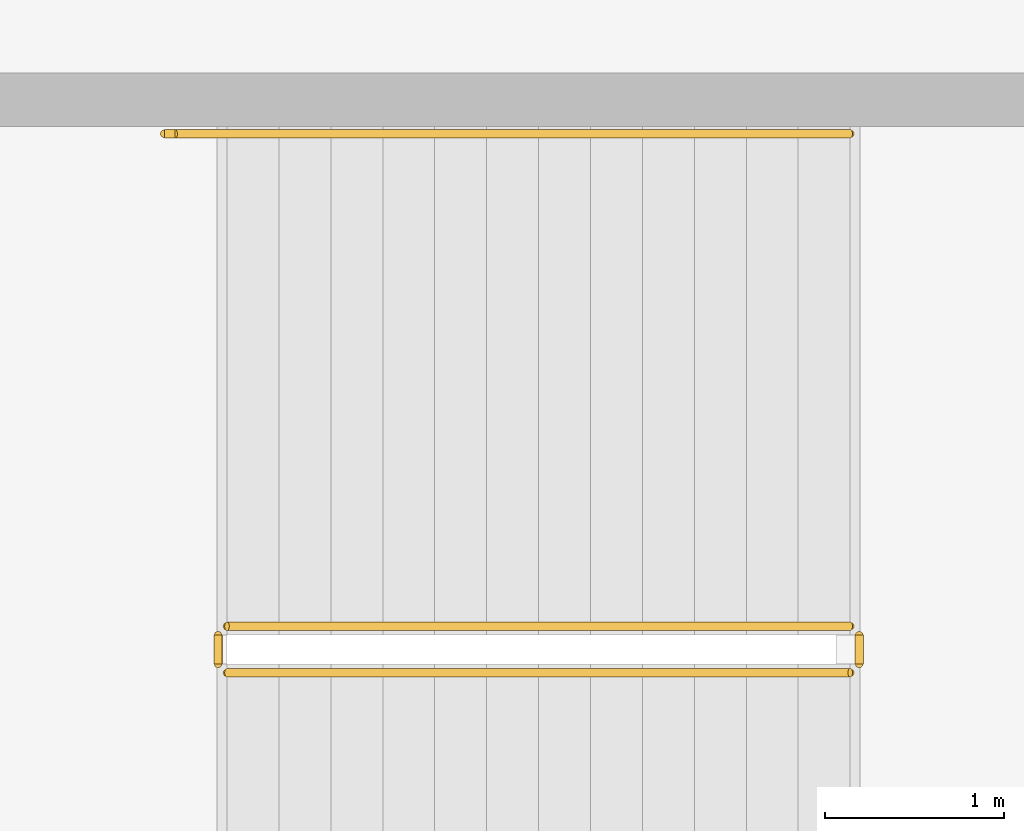
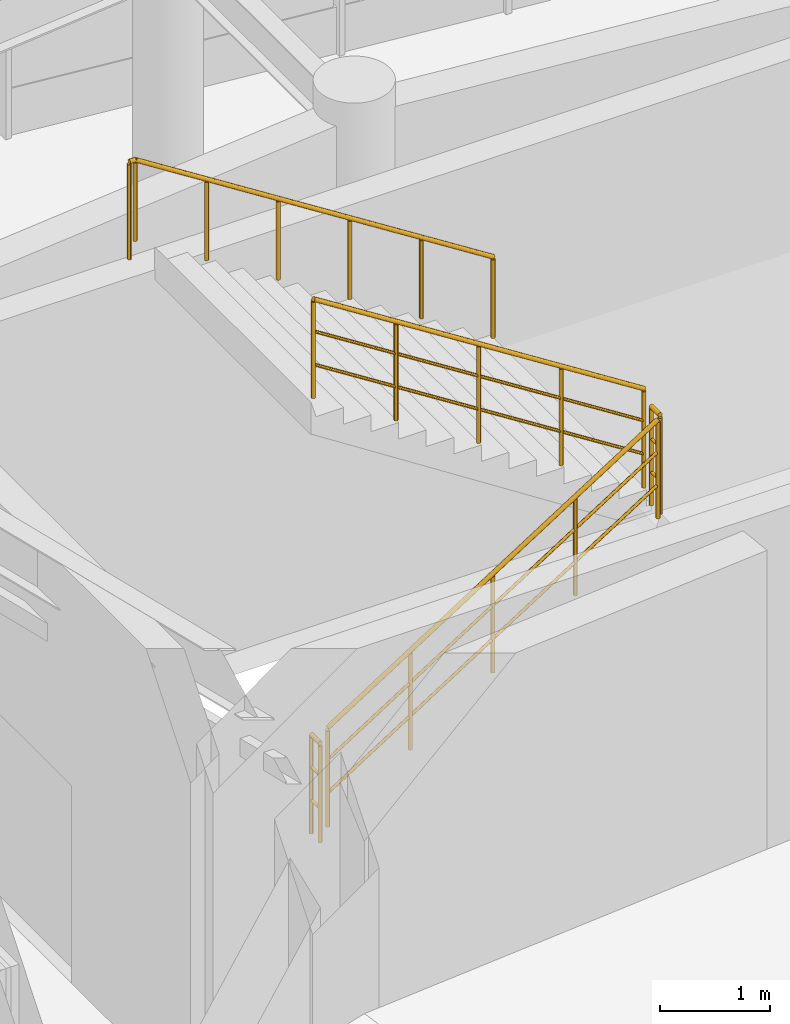
# One storey, part 136 of 144: 5 railings.
"""IFC4 building model written with IfcOpenShell, lengths in metres."""

from ifc_helpers import new_model, si_unit, direction, frame, origin, origin_2d, place, context, subcontext, project, spatial, circle, extrude, material, type_object, element, save


model = new_model("IFC4")

# Units and contexts
model_context = context("Model", 3, precision=1e-05, world=origin(), true_north=direction((0.0, 1.0)))
body_context = subcontext(model_context, "Body", "Model", "MODEL_VIEW")
ifc_project = project(units=[si_unit("LENGTHUNIT", "METRE"), si_unit("AREAUNIT", "SQUARE_METRE"), si_unit("VOLUMEUNIT", "CUBIC_METRE"), si_unit("PLANEANGLEUNIT", "RADIAN"), si_unit("MASSUNIT", "GRAM", prefix="KILO")], contexts=[model_context])

# Site, building, storey
site_placement = place(None, origin())
site = spatial("IfcSite", under=ifc_project, at=site_placement, CompositionType="ELEMENT")
building_placement = place(site_placement, origin())
building = spatial("IfcBuilding", under=site, at=building_placement, Name="Cinderbank Siding Concert Hall", CompositionType="ELEMENT")
storey_placement = place(building_placement, frame((0.0, 0.0, 5.39990234375)))
storey = spatial("IfcBuildingStorey", under=building, at=storey_placement, Name="L02", CompositionType="ELEMENT", Elevation=5.39990234375)

# Railings
ifc_material = material(Name="Structural steel AS/NZS 3679.1 Grade 350 (340 MPa)", Category="steel")
railing_type_1 = type_object("IfcRailingType", Name="STG-01 Stair Well Guardrail 1120mm", PredefinedType="GUARDRAIL", material=ifc_material)
railing_1_placement = place(storey_placement, frame((119.14990234375, 61.550048828125, 0.184814453125)))
element("IfcRailing", 1, at=railing_1_placement, inside=storey, type_object=railing_type_1, Name="L02 ST-01 stair guard 1", PredefinedType="GUARDRAIL", context=body_context, shape_type="SweptSolid", body=[
    extrude(circle(Radius=0.02392578125, at=origin_2d()), frame((0.0, 0.0, 1.09619140625), z_axis=(0.843573748531, 0.0, 0.537013343214), x_axis=(0.0, 1.0, 0.0)), (0.0, 0.0, 1.0), 4.125244140625),
    extrude(circle(Radius=0.01611328125, at=origin_2d()), frame((0.0, 0.0, 0.36962890625), z_axis=(0.843573748531, 0.0, 0.537013343214), x_axis=(0.0, 1.0, 0.0)), (0.0, 0.0, 1.0), 4.125244140625),
    extrude(circle(Radius=0.01611328125, at=origin_2d()), frame((0.0, 0.0, 0.7392578125), z_axis=(0.843573748531, 0.0, 0.537013343214), x_axis=(0.0, 1.0, 0.0)), (0.0, 0.0, 1.0), 4.125244140625),
    extrude(circle(Radius=0.02099609375, at=origin_2d()), origin(), (0.0, 0.0, 1.0), 1.072021484375),
    extrude(circle(Radius=0.02099609375, at=origin_2d()), frame((0.8701171875, 0.0, 0.5537109375)), (0.0, 0.0, 1.0), 1.072021484375),
    extrude(circle(Radius=0.02099609375, at=origin_2d()), frame((1.739990234375, 0.0, 1.107666015625)), (0.0, 0.0, 1.0), 1.072021484375),
    extrude(circle(Radius=0.02099609375, at=origin_2d()), frame((2.60986328125, 0.0, 1.66162109375)), (0.0, 0.0, 1.0), 1.072021484375),
    extrude(circle(Radius=0.02099609375, at=origin_2d()), frame((3.47998046875, 0.0, 2.21533203125)), (0.0, 0.0, 1.0), 1.072021484375),
])
railing_2_placement = place(storey_placement, frame((122.679931640625, 61.60009765625, 2.400146484375)))
element("IfcRailing", 2, at=railing_2_placement, inside=storey, type_object=railing_type_1, Name="L02 ST-01 stair guard 2", PredefinedType="GUARDRAIL", context=body_context, shape_type="SweptSolid", body=[
    extrude(circle(Radius=0.02392578125, at=origin_2d()), frame((0.0, 0.0, 1.09619140625), z_axis=(0.0, 1.0, 0.0), x_axis=(-1.0, 0.0, 0.0)), (0.0, 0.0, 1.0), 0.159912109375),
    extrude(circle(Radius=0.01611328125, at=origin_2d()), frame((0.0, 0.0, 0.36962890625), z_axis=(0.0, 1.0, 0.0), x_axis=(-1.0, 0.0, 0.0)), (0.0, 0.0, 1.0), 0.159912109375),
    extrude(circle(Radius=0.01611328125, at=origin_2d()), frame((0.0, 0.0, 0.7392578125), z_axis=(0.0, 1.0, 0.0), x_axis=(-1.0, 0.0, 0.0)), (0.0, 0.0, 1.0), 0.159912109375),
    extrude(circle(Radius=0.02099609375, at=origin_2d()), origin(), (0.0, 0.0, 1.0), 1.072021484375),
    extrude(circle(Radius=0.02099609375, at=origin_2d()), frame((0.0, 0.159912109375, 0.0)), (0.0, 0.0, 1.0), 1.072021484375),
])
railing_3_placement = place(storey_placement, frame((122.6298828125, 61.81005859375, 2.584716796875)))
element("IfcRailing", 3, at=railing_3_placement, inside=storey, type_object=railing_type_1, Name="L02 ST-01 stair guard 3", PredefinedType="GUARDRAIL", context=body_context, shape_type="SweptSolid", body=[
    extrude(circle(Radius=0.02392578125, at=origin_2d()), frame((0.0, 0.0, 1.09619140625), z_axis=(-0.843573748531, 0.0, 0.537013343214), x_axis=(0.0, -1.0, 0.0)), (0.0, 0.0, 1.0), 4.125244140625),
    extrude(circle(Radius=0.01611328125, at=origin_2d()), frame((0.0, 0.0, 0.36962890625), z_axis=(-0.843573748531, 0.0, 0.537013343214), x_axis=(0.0, -1.0, 0.0)), (0.0, 0.0, 1.0), 4.125244140625),
    extrude(circle(Radius=0.01611328125, at=origin_2d()), frame((0.0, 0.0, 0.7392578125), z_axis=(-0.843573748531, 0.0, 0.537013343214), x_axis=(0.0, -1.0, 0.0)), (0.0, 0.0, 1.0), 4.125244140625),
    extrude(circle(Radius=0.02099609375, at=origin_2d()), origin(), (0.0, 0.0, 1.0), 1.072021484375),
    extrude(circle(Radius=0.02099609375, at=origin_2d()), frame((-0.8701171875, 0.0, 0.5537109375)), (0.0, 0.0, 1.0), 1.072021484375),
    extrude(circle(Radius=0.02099609375, at=origin_2d()), frame((-1.739990234375, 0.0, 1.107666015625)), (0.0, 0.0, 1.0), 1.072021484375),
    extrude(circle(Radius=0.02099609375, at=origin_2d()), frame((-2.60986328125, 0.0, 1.66162109375)), (0.0, 0.0, 1.0), 1.072021484375),
    extrude(circle(Radius=0.02099609375, at=origin_2d()), frame((-3.47998046875, 0.0, 2.21533203125)), (0.0, 0.0, 1.0), 1.072021484375),
])
railing_4_placement = place(storey_placement, frame((119.10009765625, 61.60009765625, 0.0)))
element("IfcRailing", 4, at=railing_4_placement, inside=storey, type_object=railing_type_1, Name="L02 ST-01 stair guard 4", PredefinedType="GUARDRAIL", context=body_context, shape_type="SweptSolid", body=[
    extrude(circle(Radius=0.02392578125, at=origin_2d()), frame((0.0, 0.0, 1.09619140625), z_axis=(0.0, 1.0, 0.0), x_axis=(-1.0, 0.0, 0.0)), (0.0, 0.0, 1.0), 0.159912109375),
    extrude(circle(Radius=0.01611328125, at=origin_2d()), frame((0.0, 0.0, 0.36962890625), z_axis=(0.0, 1.0, 0.0), x_axis=(-1.0, 0.0, 0.0)), (0.0, 0.0, 1.0), 0.159912109375),
    extrude(circle(Radius=0.01611328125, at=origin_2d()), frame((0.0, 0.0, 0.7392578125), z_axis=(0.0, 1.0, 0.0), x_axis=(-1.0, 0.0, 0.0)), (0.0, 0.0, 1.0), 0.159912109375),
    extrude(circle(Radius=0.02099609375, at=origin_2d()), origin(), (0.0, 0.0, 1.0), 1.072021484375),
    extrude(circle(Radius=0.02099609375, at=origin_2d()), frame((0.0, 0.159912109375, 0.0)), (0.0, 0.0, 1.0), 1.072021484375),
])
railing_type_2 = type_object("IfcRailingType", Name="STH-01 Stair Pitch Handrail 920mm", PredefinedType="HANDRAIL", material=ifc_material)
railing_5_placement = place(storey_placement, frame((122.6298828125, 64.56005859375, 2.584716796875)))
element("IfcRailing", 5, at=railing_5_placement, inside=storey, type_object=railing_type_2, Name="L02 ST-01 stair handrail 2", PredefinedType="HANDRAIL", context=body_context, shape_type="SweptSolid", body=[
    extrude(circle(Radius=0.02392578125, at=origin_2d()), frame((0.0, 0.0, 0.89599609375), z_axis=(-0.843564744176, 0.0, 0.537027487549), x_axis=(0.0, -1.0, 0.0)), (0.0, 0.0, 1.0), 4.46875),
    extrude(circle(Radius=0.02392578125, at=origin_2d()), frame((-3.769775390625, 0.0, 3.2958984375), z_axis=(-1.0, 0.0, 0.0), x_axis=(0.0, -1.0, 0.0)), (0.0, 0.0, 1.0), 0.06005859375),
    extrude(circle(Radius=0.02099609375, at=origin_2d()), origin(), (0.0, 0.0, 1.0), 0.871826171875),
    extrude(circle(Radius=0.02099609375, at=origin_2d()), frame((-0.75390625, 0.0, 0.47998046875)), (0.0, 0.0, 1.0), 0.871826171875),
    extrude(circle(Radius=0.02099609375, at=origin_2d()), frame((-1.5078125, 0.0, 0.9599609375)), (0.0, 0.0, 1.0), 0.871826171875),
    extrude(circle(Radius=0.02099609375, at=origin_2d()), frame((-2.261962890625, 0.0, 1.43994140625)), (0.0, 0.0, 1.0), 0.871826171875),
    extrude(circle(Radius=0.02099609375, at=origin_2d()), frame((-3.015869140625, 0.0, 1.919921875)), (0.0, 0.0, 1.0), 0.871826171875),
    extrude(circle(Radius=0.02099609375, at=origin_2d()), frame((-3.769775390625, 0.0, 2.39990234375)), (0.0, 0.0, 1.0), 0.871826171875),
    extrude(circle(Radius=0.02099609375, at=origin_2d()), frame((-3.829833984375, 0.0, 2.21533203125)), (0.0, 0.0, 1.0), 1.056396484375),
])

save(model, "model.ifc")
